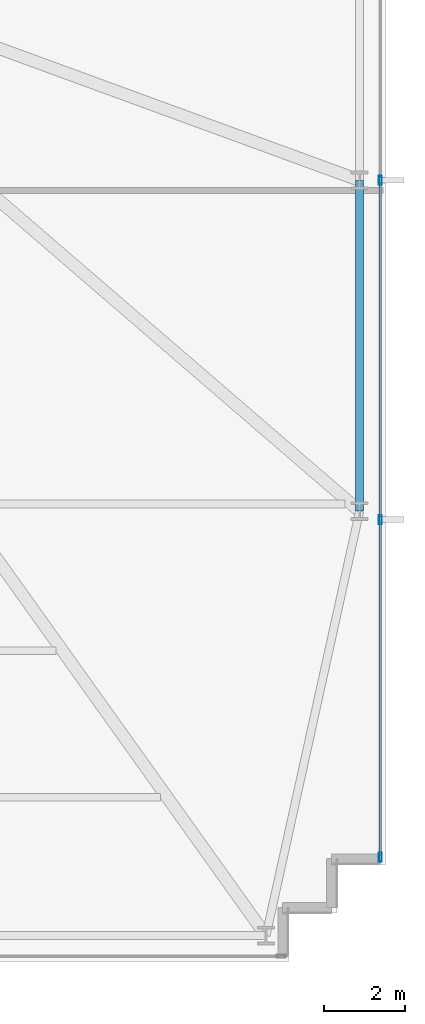
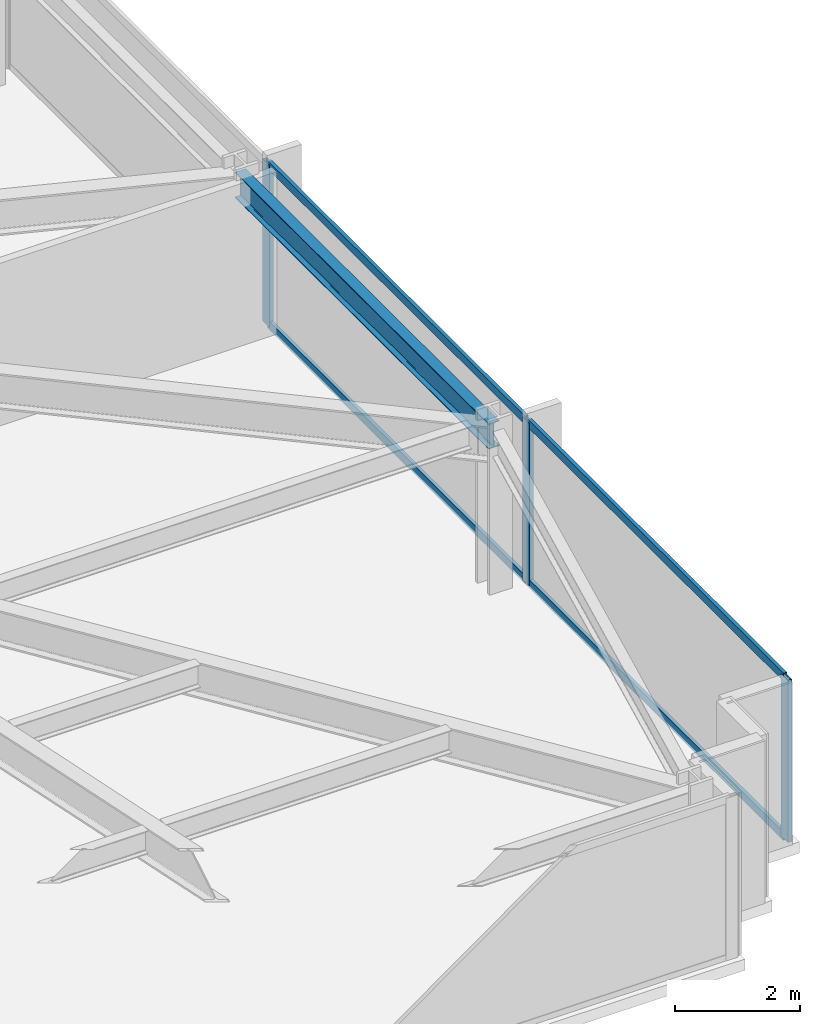
# One storey, part 22 of 32: 7 members, 1 beam, 1 element without a shape of its own.
"""IFC4 building model written with IfcOpenShell, lengths in metres."""

from ifc_helpers import new_model, si_unit, direction, frame, origin, origin_2d, place, context, subcontext, project, spatial, hollow_rectangle, i_section, extrude, material, material_profile, profile_set, type_object, element, aggregate, save


model = new_model("IFC4")

# Units and contexts
model_context = context("Model", 3, precision=1e-05, world=origin(), true_north=direction((0.0, 1.0)))
body_context = subcontext(model_context, "Body", "Model", "MODEL_VIEW")
ifc_project = project(units=[si_unit("LENGTHUNIT", "METRE"), si_unit("AREAUNIT", "SQUARE_METRE"), si_unit("VOLUMEUNIT", "CUBIC_METRE"), si_unit("PLANEANGLEUNIT", "RADIAN"), si_unit("MASSUNIT", "GRAM", prefix="KILO")], contexts=[model_context])

# Site, building, storey
site_placement = place(None, origin())
site = spatial("IfcSite", under=ifc_project, at=site_placement, CompositionType="ELEMENT")
building_placement = place(site_placement, origin())
building = spatial("IfcBuilding", under=site, at=building_placement, Name="Yelkora Congress Tower", CompositionType="ELEMENT")
storey_placement = place(building_placement, frame((0.0, 0.0, 67.800048828125)))
storey = spatial("IfcBuildingStorey", under=building, at=storey_placement, Name="L17", CompositionType="ELEMENT", Elevation=67.800048828125)

# Beam
ifc_material_1 = material(Name="Steel S355J2", Category="steel")
ifc_material_profile_1 = material_profile(ifc_material_1, i_section(OverallWidth=0.199951171875, OverallDepth=0.5, WebThickness=0.01025390625, FlangeThickness=0.01611328125, FilletRadius=0.02099609375, at=origin_2d()), Name="IPE 500")
ifc_profile_set_1 = profile_set([ifc_material_profile_1], Name="Steel S355J2")
beam_type = type_object("IfcBeamType", Name="BM-SPAN-IPE500", PredefinedType="SPANDREL", material=ifc_profile_set_1)
beam_placement = place(storey_placement, frame((70.14990234375, 21.27490234375, 2.929931640625), z_axis=(0.0, 1.0, 0.0), x_axis=(-1.0, 0.0, 0.0)))
element("IfcBeam", 1, at=beam_placement, inside=storey, type_object=beam_type, Name="L17 Perimeter Beam 11", PredefinedType="SPANDREL", context=body_context, shape_type="SweptSolid", body=[
    extrude(i_section(OverallWidth=0.199951171875, OverallDepth=0.5, WebThickness=0.01025390625, FlangeThickness=0.01611328125, FilletRadius=0.02099609375, at=origin_2d()), origin(), (0.0, 0.0, 1.0), 8.125),
])

# Curtain wall, members
ifc_material_2 = material(Name="Anodised aluminium and insulated glass", Category="aluminium")
curtain_wall_type = type_object("IfcCurtainWallType", Name="CW-SYS-B1", PredefinedType="NOTDEFINED", material=ifc_material_2)
curtain_wall_placement = place(storey_placement, origin())
curtain_wall = element("IfcCurtainWall", 2, at=curtain_wall_placement, inside=storey, type_object=curtain_wall_type, Name="L17 Unitised Curtain Wall 15", PredefinedType="NOTDEFINED")
ifc_material_3 = material(Name="Anodised aluminium 6063-T6", Category="aluminium")
ifc_material_profile_2 = material_profile(ifc_material_3, hollow_rectangle(XDim=0.074951171875, YDim=0.219970703125, WallThickness=0.0048828125, at=origin_2d()), Name="ALU 75x220x5")
ifc_profile_set_2 = profile_set([ifc_material_profile_2], Name="Anodised aluminium 6063-T6")
member_type_1 = type_object("IfcMemberType", Name="MEM-ML-B1", PredefinedType="MULLION", material=ifc_profile_set_2)
member_1_placement = place(storey_placement, frame((70.659912109375, 29.39990234375, 0.0), z_axis=(0.0, 0.0, 1.0), x_axis=(1.0, 0.0, 0.0)))
member_1 = element("IfcMember", 3, at=member_1_placement, type_object=member_type_1, Name="CW-B1 mullion 3", PredefinedType="MULLION", context=body_context, shape_type="SweptSolid", body=[
    extrude(hollow_rectangle(XDim=0.074951171875, YDim=0.219970703125, WallThickness=0.0048828125, at=origin_2d()), origin(), (0.0, 0.0, 1.0), 3.179931640625),
])
member_2_placement = place(storey_placement, frame((70.659912109375, 21.070068359375, 0.0), z_axis=(0.0, 0.0, 1.0), x_axis=(1.0, 0.0, 0.0)))
member_2 = element("IfcMember", 4, at=member_2_placement, type_object=member_type_1, Name="CW-B1 mullion 4", PredefinedType="MULLION", context=body_context, shape_type="SweptSolid", body=[
    extrude(hollow_rectangle(XDim=0.074951171875, YDim=0.219970703125, WallThickness=0.0048828125, at=origin_2d()), origin(), (0.0, 0.0, 1.0), 3.179931640625),
])
member_3_placement = place(storey_placement, frame((70.659912109375, 12.777587890625, 0.0), z_axis=(0.0, 0.0, 1.0), x_axis=(1.0, 0.0, 0.0)))
member_3 = element("IfcMember", 5, at=member_3_placement, type_object=member_type_1, Name="CW-B1 mullion 5", PredefinedType="MULLION", context=body_context, shape_type="SweptSolid", body=[
    extrude(hollow_rectangle(XDim=0.074951171875, YDim=0.219970703125, WallThickness=0.0048828125, at=origin_2d()), origin(), (0.0, 0.0, 1.0), 3.179931640625),
])
ifc_material_profile_3 = material_profile(ifc_material_3, hollow_rectangle(XDim=0.06494140625, YDim=0.159912109375, WallThickness=0.00390625, at=origin_2d()), Name="ALU 65x160x4")
ifc_profile_set_3 = profile_set([ifc_material_profile_3], Name="Anodised aluminium 6063-T6")
member_type_2 = type_object("IfcMemberType", Name="MEM-TR-B1", PredefinedType="USERDEFINED", material=ifc_profile_set_3)
member_4_placement = place(storey_placement, frame((70.659912109375, 29.362548828125, 0.032470703125), z_axis=(0.0, -1.0, 0.0), x_axis=(1.0, 0.0, 0.0)))
member_4 = element("IfcMember", 6, at=member_4_placement, type_object=member_type_2, Name="CW-B1 transom 3.1", ObjectType="TRANSOM", PredefinedType="USERDEFINED", context=body_context, shape_type="SweptSolid", body=[
    extrude(hollow_rectangle(XDim=0.06494140625, YDim=0.159912109375, WallThickness=0.00390625, at=origin_2d()), origin(), (0.0, 0.0, 1.0), 8.255126953125),
])
member_5_placement = place(storey_placement, frame((70.659912109375, 29.362548828125, 3.1474609375), z_axis=(0.0, -1.0, 0.0), x_axis=(1.0, 0.0, 0.0)))
member_5 = element("IfcMember", 7, at=member_5_placement, type_object=member_type_2, Name="CW-B1 transom 3.2", ObjectType="TRANSOM", PredefinedType="USERDEFINED", context=body_context, shape_type="SweptSolid", body=[
    extrude(hollow_rectangle(XDim=0.06494140625, YDim=0.159912109375, WallThickness=0.00390625, at=origin_2d()), origin(), (0.0, 0.0, 1.0), 8.255126953125),
])
member_6_placement = place(storey_placement, frame((70.659912109375, 21.032470703125, 0.032470703125), z_axis=(0.0, -1.0, 0.0), x_axis=(1.0, 0.0, 0.0)))
member_6 = element("IfcMember", 8, at=member_6_placement, type_object=member_type_2, Name="CW-B1 transom 4.1", ObjectType="TRANSOM", PredefinedType="USERDEFINED", context=body_context, shape_type="SweptSolid", body=[
    extrude(hollow_rectangle(XDim=0.06494140625, YDim=0.159912109375, WallThickness=0.00390625, at=origin_2d()), origin(), (0.0, 0.0, 1.0), 8.217529296875),
])
member_7_placement = place(storey_placement, frame((70.659912109375, 21.032470703125, 3.1474609375), z_axis=(0.0, -1.0, 0.0), x_axis=(1.0, 0.0, 0.0)))
member_7 = element("IfcMember", 9, at=member_7_placement, type_object=member_type_2, Name="CW-B1 transom 4.2", ObjectType="TRANSOM", PredefinedType="USERDEFINED", context=body_context, shape_type="SweptSolid", body=[
    extrude(hollow_rectangle(XDim=0.06494140625, YDim=0.159912109375, WallThickness=0.00390625, at=origin_2d()), origin(), (0.0, 0.0, 1.0), 8.217529296875),
])
aggregate(curtain_wall, [member_1, member_2, member_3, member_4, member_5, member_6, member_7])

save(model, "model.ifc")
